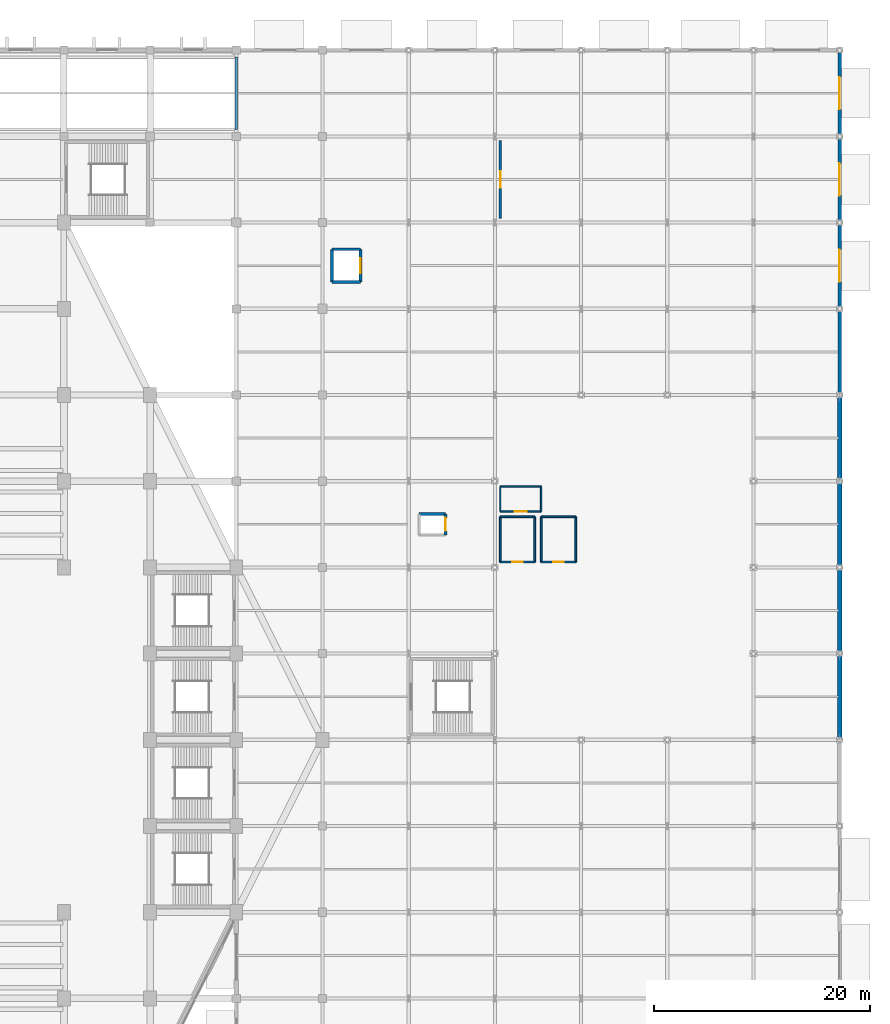
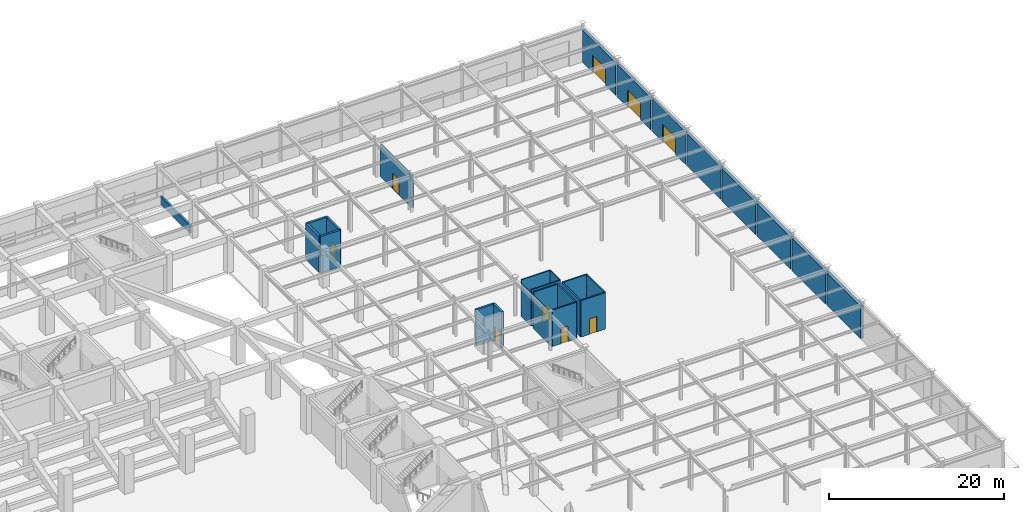
# One storey, part 30 of 39: 28 walls, 9 doors, 9 openings.
"""IFC4 building model written with IfcOpenShell, lengths in metres."""

import ifcopenshell
import ifcopenshell.guid

model = None  # the IFC model being written
_history = None  # IfcOwnerHistory: only IFC2X3 demands one
_inside = {}  # id of a spatial element -> (the spatial element, [elements in it])
_under = {}  # id of a project, library or spatial element -> (it, [spatial elements below it])
_declared = {}  # id of a project -> (the project, [libraries it declares])
_typed = {}  # id of a type object -> (the type object, [elements of that type])
_made_of = {}  # id of a material, layer set ... -> (it, [elements and type objects made of it])


def new_model(schema):
    """Start an empty IFC model of exactly this schema.

    Asked for "IFC4X3", IfcOpenShell would pick the latest addendum, in which some entities
    have other attributes; the version numbers below select the first issue.
    IFC2X3 requires an IfcOwnerHistory on every rooted entity: one is made here for all.
    """
    global model, _history
    if schema == "IFC4X3":
        model = ifcopenshell.file(schema_version=(4, 3, 0, 0))
    else:
        model = ifcopenshell.file(schema=schema)
    _inside.clear()
    _under.clear()
    _declared.clear()
    _typed.clear()
    _made_of.clear()
    _history = None
    if model.schema == "IFC2X3":
        org = make("IfcOrganization", Name="unknown")
        user = make(
            "IfcPersonAndOrganization",
            ThePerson=make("IfcPerson", FamilyName="unknown"),
            TheOrganization=org,
        )
        app = make(
            "IfcApplication",
            ApplicationDeveloper=org,
            Version="unknown",
            ApplicationFullName="unknown",
            ApplicationIdentifier="unknown",
        )
        _history = make(
            "IfcOwnerHistory",
            OwningUser=user,
            OwningApplication=app,
            ChangeAction="ADDED",
            CreationDate=0,
        )
    return model


def make(cls, **values):
    """One entity of the class cls with the attributes given. An attribute that is None is left unset."""
    return model.create_entity(
        cls, **{name: value for name, value in values.items() if value is not None}
    )


def rooted(cls, **values):
    """An entity with a GlobalId (a new one), such as an element, a storey or a relation."""
    return make(cls, GlobalId=ifcopenshell.guid.new(), OwnerHistory=_history, **values)


def si_unit(unit_type, name, prefix=None):
    """IfcSIUnit, for example si_unit("LENGTHUNIT", "METRE", prefix="MILLI")."""
    return make("IfcSIUnit", UnitType=unit_type, Prefix=prefix, Name=name)


def assignment(units):
    """IfcUnitAssignment: the units of a project."""
    return None if units is None else make("IfcUnitAssignment", Units=units)


def point(xyz):
    """IfcCartesianPoint."""
    return None if xyz is None else make("IfcCartesianPoint", Coordinates=xyz)


def direction(xyz):
    """IfcDirection."""
    return None if xyz is None else make("IfcDirection", DirectionRatios=xyz)


def frame(location, z_axis=None, x_axis=None):
    """IfcAxis2Placement3D, a coordinate frame: its origin and axes. An axis left out is left unset."""
    return make(
        "IfcAxis2Placement3D",
        Location=point(location),
        Axis=direction(z_axis),
        RefDirection=direction(x_axis),
    )


def frame_2d(location, x_axis=None):
    """IfcAxis2Placement2D, a coordinate frame in the plane: its origin and x axis."""
    return make(
        "IfcAxis2Placement2D", Location=point(location), RefDirection=direction(x_axis)
    )


def origin():
    """The frame at (0, 0, 0) with its axes left unset."""
    return frame((0.0, 0.0, 0.0))


def place(relative_to, where):
    """IfcLocalPlacement: puts the frame where relative to a parent placement (None: the world)."""
    return make(
        "IfcLocalPlacement", PlacementRelTo=relative_to, RelativePlacement=where
    )


def context(
    kind, dimensions, precision=None, world=None, true_north=None, identifier=None
):
    """IfcGeometricRepresentationContext, for example the 3D "Model" context."""
    return make(
        "IfcGeometricRepresentationContext",
        ContextIdentifier=identifier,
        ContextType=kind,
        CoordinateSpaceDimension=dimensions,
        Precision=precision,
        WorldCoordinateSystem=world,
        TrueNorth=true_north,
    )


def subcontext(parent, identifier, kind, view, scale=None):
    """IfcGeometricRepresentationSubContext, for example "Body" below "Model"."""
    return make(
        "IfcGeometricRepresentationSubContext",
        ContextIdentifier=identifier,
        ContextType=kind,
        ParentContext=parent,
        TargetScale=scale,
        TargetView=view,
    )


def project(units=None, contexts=None):
    """IfcProject with its units and contexts."""
    return rooted(
        "IfcProject",
        Name="project",
        RepresentationContexts=contexts,
        UnitsInContext=assignment(units),
    )


def spatial(cls, under=None, at=None, **own):
    """A site, building, storey or space (cls), placed at a placement, below another one or the project."""
    s = rooted(cls, ObjectPlacement=at, **own)
    if under is not None:
        _under.setdefault(under.id(), (under, []))[1].append(s)
    return s


def profile(cls, at=None, kind="AREA", **sizes):
    """A parametric profile (cls). Its sizes go by their IFC names, for example OverallWidth=200.0."""
    return make(cls, ProfileType=kind, Position=at, **sizes)


def rectangle(**sizes):
    """IfcRectangleProfileDef."""
    return profile("IfcRectangleProfileDef", **sizes)


def extrude(swept, where, along, depth):
    """IfcExtrudedAreaSolid: the profile swept, set in the frame where, extruded along a direction by depth."""
    return make(
        "IfcExtrudedAreaSolid",
        SweptArea=swept,
        Position=where,
        ExtrudedDirection=direction(along),
        Depth=depth,
    )


def shape(context_of_items, identifier, shape_type, items):
    """IfcShapeRepresentation: the items that make up one representation, for example the "Body"."""
    return make(
        "IfcShapeRepresentation",
        ContextOfItems=context_of_items,
        RepresentationIdentifier=identifier,
        RepresentationType=shape_type,
        Items=items,
    )


def material(Name=None, Category=None):
    """IfcMaterial."""
    return make("IfcMaterial", Name=Name, Category=Category)


def layer(
    of_material, thickness, ventilated=None, Name=None, Category=None, Priority=None
):
    """IfcMaterialLayer: one layer of a wall or slab, of a material (None: an air gap)."""
    return make(
        "IfcMaterialLayer",
        Material=of_material,
        LayerThickness=thickness,
        IsVentilated=ventilated,
        Name=Name,
        Category=Category,
        Priority=Priority,
    )


def layer_set(layers, Name=None):
    """IfcMaterialLayerSet."""
    return make("IfcMaterialLayerSet", MaterialLayers=layers, LayerSetName=Name)


def made_of(thing, what):
    """Note that an element or type object is made of a material, layer set ...; save() writes the relation."""
    if what is not None:
        _made_of.setdefault(what.id(), (what, []))[1].append(thing)
    return thing


def type_object(cls, material=None, **own):
    """A type object (cls), such as IfcWallType, which elements share."""
    return made_of(rooted(cls, **own), material)


def element(
    cls,
    number,
    at=None,
    inside=None,
    cuts=None,
    type_object=None,
    material=None,
    context=None,
    identifier="Body",
    shape_type=None,
    held_by="IfcProductDefinitionShape",
    body=None,
    shapes=None,
    **own,
):
    """One element of the class cls, such as IfcWall. Its Tag is "e" and its number.

    at: its placement. inside: the storey or other place that contains it. cuts: it is an
    opening in that element (IfcRelVoidsElement). A single representation is given by context,
    identifier, shape_type and body (its items); several are given by shapes. held_by: the class
    of the entity that holds the representations. save() writes the other relations.
    """
    e = rooted(cls, Tag="e%d" % number, ObjectPlacement=at, **own)
    if body is not None:
        shapes = [shape(context, identifier, shape_type, body)]
    if shapes is not None:
        e.Representation = make(held_by, Representations=shapes)
    if inside is not None:
        _inside.setdefault(inside.id(), (inside, []))[1].append(e)
    if cuts is not None:
        rooted(
            "IfcRelVoidsElement", RelatingBuildingElement=cuts, RelatedOpeningElement=e
        )
    if type_object is not None:
        _typed.setdefault(type_object.id(), (type_object, []))[1].append(e)
    return made_of(e, material)


def fill(opening, filler):
    """IfcRelFillsElement: the door or window that sits in an opening."""
    return rooted(
        "IfcRelFillsElement",
        RelatingOpeningElement=opening,
        RelatedBuildingElement=filler,
    )


def aggregate(whole, parts):
    """IfcRelAggregates: a whole, such as a stair, and the parts it consists of."""
    return rooted("IfcRelAggregates", RelatingObject=whole, RelatedObjects=parts)


def save(model, path):
    """Write the relations noted so far, then the file.

    IfcRelAggregates (storeys below a building ...), IfcRelContainedInSpatialStructure (elements
    in a storey), IfcRelDefinesByType, IfcRelAssociatesMaterial and IfcRelDeclares: one each for
    every whole, place, type object, material and project.
    """
    for whole, parts in _under.values():
        aggregate(whole, parts)
    for where, things in _inside.values():
        rooted(
            "IfcRelContainedInSpatialStructure",
            RelatedElements=things,
            RelatingStructure=where,
        )
    for kind, things in _typed.values():
        rooted("IfcRelDefinesByType", RelatedObjects=things, RelatingType=kind)
    for what, things in _made_of.values():
        rooted("IfcRelAssociatesMaterial", RelatedObjects=things, RelatingMaterial=what)
    for by, libraries in _declared.values():
        rooted("IfcRelDeclares", RelatingContext=by, RelatedDefinitions=libraries)
    model.write(path)


model = new_model("IFC4")

# Units and contexts
model_context = context("Model", 3, precision=1e-05, world=origin(), true_north=direction((0.0, 1.0)))
body_context = subcontext(model_context, "Body", "Model", "MODEL_VIEW")
ifc_project = project(units=[si_unit("LENGTHUNIT", "METRE"), si_unit("AREAUNIT", "SQUARE_METRE"), si_unit("VOLUMEUNIT", "CUBIC_METRE"), si_unit("PLANEANGLEUNIT", "RADIAN"), si_unit("MASSUNIT", "GRAM", prefix="KILO")], contexts=[model_context])

# Site, building, storey
site_placement = place(None, origin())
site = spatial("IfcSite", under=ifc_project, at=site_placement, CompositionType="ELEMENT")
building_placement = place(site_placement, origin())
building = spatial("IfcBuilding", under=site, at=building_placement, Name="Tazarka Park Arena", CompositionType="ELEMENT")
storey_placement = place(building_placement, origin())
storey = spatial("IfcBuildingStorey", under=building, at=storey_placement, Name="L00", CompositionType="ELEMENT", Elevation=0.0)

# Wall
ifc_material_1 = material(Name="Concrete C40/50", Category="concrete")
ifc_layer_1 = layer(ifc_material_1, 0.260009765625, Name="Concrete C40/50")
ifc_layer_set_1 = layer_set([ifc_layer_1], Name="Concrete C40/50")
wall_type_1 = type_object("IfcWallType", Name="IWAL-CW-S3", PredefinedType="SHEAR", material=ifc_layer_set_1)
wall_1_placement = place(storey_placement, frame((144.97998046875, 84.969970703125, 0.0), z_axis=(0.0, 0.0, 1.0), x_axis=(1.0, 0.0, 0.0)))
element("IfcWall", 1, at=wall_1_placement, inside=storey, type_object=wall_type_1, Name="LSW-L00-LF-10-N", PredefinedType="SHEAR", context=body_context, shape_type="SweptSolid", body=[
    extrude(rectangle(XDim=2.43994140625, YDim=0.260009765625, at=frame_2d((1.219970703125, 0.0))), origin(), (0.0, 0.0, 1.0), 5.080078125),
])

# Wall, opening, door
wall_2_placement = place(storey_placement, frame((147.419921875, 84.969970703125, 0.0), z_axis=(0.0, 0.0, 1.0), x_axis=(0.0, -1.0, 0.0)))
wall_2 = element("IfcWall", 2, at=wall_2_placement, inside=storey, type_object=wall_type_1, Name="LSW-L00-LF-10-E", PredefinedType="SHEAR", context=body_context, shape_type="SweptSolid", body=[
    extrude(rectangle(XDim=1.93994140625, YDim=0.260009765625, at=frame_2d((0.969970703125, 0.0))), origin(), (0.0, 0.0, 1.0), 5.080078125),
])
opening_1_placement = place(wall_2_placement, frame((0.3701171875, 0.0, 0.0)))
opening_1 = element("IfcOpeningElement", 3, at=opening_1_placement, cuts=wall_2, Name="Opening LD-02", PredefinedType="OPENING", context=body_context, shape_type="SweptSolid", body=[
    extrude(rectangle(XDim=1.199951171875, YDim=2.14990234375, at=frame_2d((0.60009765625, 1.074951171875))), frame((0.0, 0.14013671875, 0.0), z_axis=(0.0, -1.0, 0.0), x_axis=(1.0, 0.0, 0.0)), (0.0, 0.0, 1.0), 0.280029296875),
])
ifc_material_2 = material(Name="Fire-rated powder-coated steel and acoustic timber", Category="steel")
door_type_1 = type_object("IfcDoorType", Name="IDR-LD-02", OperationType="NOTDEFINED", PredefinedType="DOOR", material=ifc_material_2)
door_1_placement = place(opening_1_placement, origin())
door_1 = element("IfcDoor", 4, at=door_1_placement, inside=storey, type_object=door_type_1, Name="Lift Landing Door LF-10-L00", OperationType="SLIDING_TO_LEFT", OverallHeight=2.14990234375, OverallWidth=1.199951171875, PredefinedType="DOOR", context=body_context, shape_type="SweptSolid", body=[
    extrude(rectangle(XDim=1.199951171875, YDim=2.14990234375, at=frame_2d((0.60009765625, 1.074951171875))), frame((0.0, 0.02490234375, 0.0), z_axis=(0.0, -1.0, 0.0), x_axis=(1.0, 0.0, 0.0)), (0.0, 0.0, 1.0), 0.050048828125),
])
fill(opening_1, door_1)

# Walls
wall_3_placement = place(storey_placement, frame((136.8798828125, 106.47998046875, 0.0), z_axis=(0.0, 0.0, 1.0), x_axis=(0.0, 1.0, 0.0)))
element("IfcWall", 5, at=wall_3_placement, inside=storey, type_object=wall_type_1, Name="LSW-L00-LF-12-W", PredefinedType="SHEAR", context=body_context, shape_type="SweptSolid", body=[
    extrude(rectangle(XDim=3.0400390625, YDim=0.260009765625, at=frame_2d((1.52001953125, 0.0))), origin(), (0.0, 0.0, 1.0), 5.080078125),
])
for number, where, z_axis, x_axis, name in (
    (6, (136.8798828125, 109.52001953125, 0.0), (0.0, 0.0, 1.0), (1.0, 0.0, 0.0), "LSW-L00-LF-12-N"),
    (7, (139.52001953125, 106.47998046875, 0.0), (0.0, 0.0, 1.0), (-1.0, 0.0, 0.0), "LSW-L00-LF-12-S"),
):
    element("IfcWall", number, at=place(storey_placement, frame(where, z_axis=z_axis, x_axis=x_axis)), inside=storey, type_object=wall_type_1, Name=name, PredefinedType="SHEAR", context=body_context, shape_type="SweptSolid", body=[
        extrude(rectangle(XDim=2.64013671875, YDim=0.260009765625, at=frame_2d((1.320068359375, 0.0))), origin(), (0.0, 0.0, 1.0), 5.080078125),
    ])

# Wall, opening, door
wall_4_placement = place(storey_placement, frame((139.52001953125, 109.52001953125, 0.0), z_axis=(0.0, 0.0, 1.0), x_axis=(0.0, -1.0, 0.0)))
wall_4 = element("IfcWall", 8, at=wall_4_placement, inside=storey, type_object=wall_type_1, Name="LSW-L00-LF-12-E", PredefinedType="SHEAR", context=body_context, shape_type="SweptSolid", body=[
    extrude(rectangle(XDim=3.0400390625, YDim=0.260009765625, at=frame_2d((1.52001953125, 0.0))), origin(), (0.0, 0.0, 1.0), 5.080078125),
])
opening_2_placement = place(wall_4_placement, frame((0.820068359375, 0.0, 0.0)))
opening_2 = element("IfcOpeningElement", 9, at=opening_2_placement, cuts=wall_4, Name="Opening LD-03", PredefinedType="OPENING", context=body_context, shape_type="SweptSolid", body=[
    extrude(rectangle(XDim=1.39990234375, YDim=2.199951171875, at=frame_2d((0.699951171875, 1.10009765625))), frame((0.0, 0.14013671875, 0.0), z_axis=(0.0, -1.0, 0.0), x_axis=(1.0, 0.0, 0.0)), (0.0, 0.0, 1.0), 0.280029296875),
])
ifc_material_3 = material(Name="Fire-rated powder-coated steel and acoustic timber", Category="steel")
door_type_2 = type_object("IfcDoorType", Name="IDR-LD-03", OperationType="NOTDEFINED", PredefinedType="DOOR", material=ifc_material_3)
door_2_placement = place(opening_2_placement, origin())
door_2 = element("IfcDoor", 10, at=door_2_placement, inside=storey, type_object=door_type_2, Name="Lift Landing Door LF-12-L00", OperationType="SLIDING_TO_LEFT", OverallHeight=2.199951171875, OverallWidth=1.39990234375, PredefinedType="DOOR", context=body_context, shape_type="SweptSolid", body=[
    extrude(rectangle(XDim=1.39990234375, YDim=2.199951171875, at=frame_2d((0.699951171875, 1.10009765625))), frame((0.0, 0.02490234375, 0.0), z_axis=(0.0, -1.0, 0.0), x_axis=(1.0, 0.0, 0.0)), (0.0, 0.0, 1.0), 0.050048828125),
])
fill(opening_2, door_2)

ifc_material_4 = material(Name="Reinforced masonry compartment wall", Category="masonry")
ifc_layer_2 = layer(ifc_material_4, 0.199951171875, Name="Reinforced masonry compartment wall")
ifc_layer_set_2 = layer_set([ifc_layer_2], Name="Reinforced masonry compartment wall")
wall_type_2 = type_object("IfcWallType", Name="IWAL-PT-04", PredefinedType="PARTITIONING", material=ifc_layer_set_2)
wall_5_placement = place(storey_placement, frame((152.5, 112.365478515625, 0.0), z_axis=(0.0, 0.0, 1.0), x_axis=(0.0, 1.0, 0.0)))
wall_5 = element("IfcWall", 11, at=wall_5_placement, inside=storey, type_object=wall_type_2, Name="PRT-L00-012", PredefinedType="PARTITIONING", context=body_context, shape_type="SweptSolid", body=[
    extrude(rectangle(XDim=7.26904296875, YDim=0.199951171875, at=frame_2d((3.634521484375, 0.0))), origin(), (0.0, 0.0, 1.0), 4.5),
])
opening_3_placement = place(wall_5_placement, frame((2.884521484375, 0.0, 0.0)))
opening_3 = element("IfcOpeningElement", 12, at=opening_3_placement, cuts=wall_5, Name="Opening ID-06", PredefinedType="OPENING", context=body_context, shape_type="SweptSolid", body=[
    extrude(rectangle(XDim=1.5, YDim=2.199951171875, at=frame_2d((0.75, 1.10009765625))), frame((0.0, 0.10986328125, 0.0), z_axis=(0.0, -1.0, 0.0), x_axis=(1.0, 0.0, 0.0)), (0.0, 0.0, 1.0), 0.219970703125),
])
ifc_material_5 = material(Name="Fire-rated powder-coated steel and acoustic timber", Category="steel")
door_type_3 = type_object("IfcDoorType", Name="IDR-ID-06", OperationType="NOTDEFINED", PredefinedType="DOOR", material=ifc_material_5)
door_3_placement = place(opening_3_placement, origin())
door_3 = element("IfcDoor", 13, at=door_3_placement, inside=storey, type_object=door_type_3, Name="Room Door HGV Loading Dock and Broadcast Compound Marshalling", OperationType="DOUBLE_DOOR_SINGLE_SWING", OverallHeight=2.199951171875, OverallWidth=1.5, PredefinedType="DOOR", context=body_context, shape_type="SweptSolid", body=[
    extrude(rectangle(XDim=1.5, YDim=2.199951171875, at=frame_2d((0.75, 1.10009765625))), frame((0.0, 0.02490234375, 0.0), z_axis=(0.0, -1.0, 0.0), x_axis=(1.0, 0.0, 0.0)), (0.0, 0.0, 1.0), 0.050048828125),
])
fill(opening_3, door_3)

ifc_material_6 = material(Name="Acoustic gypsum stud partition")
ifc_layer_3 = layer(ifc_material_6, 0.135009765625, Name="Acoustic gypsum stud partition")
ifc_layer_set_3 = layer_set([ifc_layer_3], Name="Acoustic gypsum stud partition")
wall_type_3 = type_object("IfcWallType", Name="IWAL-PT-10", PredefinedType="PARTITIONING", material=ifc_layer_set_3)
wall_6_placement = place(storey_placement, frame((152.5, 85.199951171875, 0.0), z_axis=(0.0, 0.0, 1.0), x_axis=(1.0, 0.0, 0.0)))
wall_6 = element("IfcWall", 14, at=wall_6_placement, inside=storey, type_object=wall_type_3, Name="WCE-L00-053", PredefinedType="PARTITIONING", context=body_context, shape_type="SweptSolid", body=[
    extrude(rectangle(XDim=3.800048828125, YDim=0.135009765625, at=frame_2d((1.89990234375, 0.0))), origin(), (0.0, 0.0, 1.0), 5.080078125),
])
opening_4_placement = place(wall_6_placement, frame((1.35009765625, 0.0, 0.0)))
opening_4 = element("IfcOpeningElement", 15, at=opening_4_placement, cuts=wall_6, Name="Opening ID-02", PredefinedType="OPENING", context=body_context, shape_type="SweptSolid", body=[
    extrude(rectangle(XDim=1.10009765625, YDim=2.14990234375, at=frame_2d((0.550048828125, 1.074951171875))), frame((0.0, 0.07763671875, 0.0), z_axis=(0.0, -1.0, 0.0), x_axis=(1.0, 0.0, 0.0)), (0.0, 0.0, 1.0), 0.155029296875),
])
ifc_material_7 = material(Name="Fire-rated powder-coated steel and acoustic timber", Category="steel")
door_type_4 = type_object("IfcDoorType", Name="IDR-ID-02", OperationType="NOTDEFINED", PredefinedType="DOOR", material=ifc_material_7)
door_4_placement = place(opening_4_placement, origin())
door_4 = element("IfcDoor", 16, at=door_4_placement, inside=storey, type_object=door_type_4, Name="Room Door Accessible WC Warmup 4", OperationType="SINGLE_SWING_RIGHT", OverallHeight=2.14990234375, OverallWidth=1.10009765625, PredefinedType="DOOR", context=body_context, shape_type="SweptSolid", body=[
    extrude(rectangle(XDim=1.10009765625, YDim=2.14990234375, at=frame_2d((0.550048828125, 1.074951171875))), frame((0.0, 0.02490234375, 0.0), z_axis=(0.0, -1.0, 0.0), x_axis=(1.0, 0.0, 0.0)), (0.0, 0.0, 1.0), 0.050048828125),
])
fill(opening_4, door_4)

# Walls
wall_7_placement = place(storey_placement, frame((156.300048828125, 85.199951171875, 0.0), z_axis=(0.0, 0.0, 1.0), x_axis=(0.0, 1.0, 0.0)))
element("IfcWall", 17, at=wall_7_placement, inside=storey, type_object=wall_type_3, Name="WCE-L00-054", PredefinedType="PARTITIONING", context=body_context, shape_type="SweptSolid", body=[
    extrude(rectangle(XDim=2.300048828125, YDim=0.135009765625, at=frame_2d((1.14990234375, 0.0))), origin(), (0.0, 0.0, 1.0), 5.080078125),
])
wall_8_placement = place(storey_placement, frame((156.300048828125, 87.5, 0.0), z_axis=(0.0, 0.0, 1.0), x_axis=(-1.0, 0.0, 0.0)))
element("IfcWall", 18, at=wall_8_placement, inside=storey, type_object=wall_type_3, Name="WCE-L00-055", PredefinedType="PARTITIONING", context=body_context, shape_type="SweptSolid", body=[
    extrude(rectangle(XDim=3.800048828125, YDim=0.135009765625, at=frame_2d((1.89990234375, 0.0))), origin(), (0.0, 0.0, 1.0), 5.080078125),
])
wall_9_placement = place(storey_placement, frame((152.5, 87.5, 0.0), z_axis=(0.0, 0.0, 1.0), x_axis=(0.0, -1.0, 0.0)))
element("IfcWall", 19, at=wall_9_placement, inside=storey, type_object=wall_type_3, Name="WCE-L00-056", PredefinedType="PARTITIONING", context=body_context, shape_type="SweptSolid", body=[
    extrude(rectangle(XDim=2.300048828125, YDim=0.135009765625, at=frame_2d((1.14990234375, 0.0))), origin(), (0.0, 0.0, 1.0), 4.510009765625),
])

# Wall, opening, door
ifc_material_8 = material(Name="Wet-zone tiled blockwork wall", Category="masonry")
ifc_layer_4 = layer(ifc_material_8, 0.175048828125, Name="Wet-zone tiled blockwork wall")
ifc_layer_set_4 = layer_set([ifc_layer_4], Name="Wet-zone tiled blockwork wall")
wall_type_4 = type_object("IfcWallType", Name="IWAL-PT-18", PredefinedType="PARTITIONING", material=ifc_layer_set_4)
wall_10_placement = place(storey_placement, frame((152.5, 80.5, 0.0), z_axis=(0.0, 0.0, 1.0), x_axis=(1.0, 0.0, 0.0)))
wall_10 = element("IfcWall", 20, at=wall_10_placement, inside=storey, type_object=wall_type_4, Name="WCE-L00-045", PredefinedType="PARTITIONING", context=body_context, shape_type="SweptSolid", body=[
    extrude(rectangle(XDim=3.199951171875, YDim=0.175048828125, at=frame_2d((1.60009765625, 0.0))), origin(), (0.0, 0.0, 1.0), 5.080078125),
])
opening_5_placement = place(wall_10_placement, frame((1.125, 0.0, 0.0)))
opening_5 = element("IfcOpeningElement", 21, at=opening_5_placement, cuts=wall_10, Name="Opening ID-09", PredefinedType="OPENING", context=body_context, shape_type="SweptSolid", body=[
    extrude(rectangle(XDim=0.949951171875, YDim=2.14990234375, at=frame_2d((0.47509765625, 1.074951171875))), frame((0.0, 0.09765625, 0.0), z_axis=(0.0, -1.0, 0.0), x_axis=(1.0, 0.0, 0.0)), (0.0, 0.0, 1.0), 0.195068359375),
])
ifc_material_9 = material(Name="Fire-rated powder-coated steel and acoustic timber", Category="steel")
door_type_5 = type_object("IfcDoorType", Name="IDR-ID-09", OperationType="NOTDEFINED", PredefinedType="DOOR", material=ifc_material_9)
door_5_placement = place(opening_5_placement, origin())
door_5 = element("IfcDoor", 22, at=door_5_placement, inside=storey, type_object=door_type_5, Name="Room Door Public Male WC Warmup 4", OperationType="SINGLE_SWING_RIGHT", OverallHeight=2.14990234375, OverallWidth=0.949951171875, PredefinedType="DOOR", context=body_context, shape_type="SweptSolid", body=[
    extrude(rectangle(XDim=0.949951171875, YDim=2.14990234375, at=frame_2d((0.47509765625, 1.074951171875))), frame((0.0, 0.02490234375, 0.0), z_axis=(0.0, -1.0, 0.0), x_axis=(1.0, 0.0, 0.0)), (0.0, 0.0, 1.0), 0.050048828125),
])
fill(opening_5, door_5)

# Walls
wall_11_placement = place(storey_placement, frame((155.699951171875, 80.5, 0.0), z_axis=(0.0, 0.0, 1.0), x_axis=(0.0, 1.0, 0.0)))
element("IfcWall", 23, at=wall_11_placement, inside=storey, type_object=wall_type_4, Name="WCE-L00-046", PredefinedType="PARTITIONING", context=body_context, shape_type="SweptSolid", body=[
    extrude(rectangle(XDim=4.199951171875, YDim=0.175048828125, at=frame_2d((2.10009765625, 0.0))), origin(), (0.0, 0.0, 1.0), 5.080078125),
])
wall_12_placement = place(storey_placement, frame((155.699951171875, 84.699951171875, 0.0), z_axis=(0.0, 0.0, 1.0), x_axis=(-1.0, 0.0, 0.0)))
element("IfcWall", 24, at=wall_12_placement, inside=storey, type_object=wall_type_4, Name="WCE-L00-047", PredefinedType="PARTITIONING", context=body_context, shape_type="SweptSolid", body=[
    extrude(rectangle(XDim=3.199951171875, YDim=0.175048828125, at=frame_2d((1.60009765625, 0.0))), origin(), (0.0, 0.0, 1.0), 5.080078125),
])
wall_13_placement = place(storey_placement, frame((152.5, 84.699951171875, 0.0), z_axis=(0.0, 0.0, 1.0), x_axis=(0.0, -1.0, 0.0)))
element("IfcWall", 25, at=wall_13_placement, inside=storey, type_object=wall_type_4, Name="WCE-L00-048", PredefinedType="PARTITIONING", context=body_context, shape_type="SweptSolid", body=[
    extrude(rectangle(XDim=4.199951171875, YDim=0.175048828125, at=frame_2d((2.10009765625, 0.0))), origin(), (0.0, 0.0, 1.0), 4.510009765625),
])

# Wall, opening, door
wall_14_placement = place(storey_placement, frame((156.300048828125, 80.5, 0.0), z_axis=(0.0, 0.0, 1.0), x_axis=(1.0, 0.0, 0.0)))
wall_14 = element("IfcWall", 26, at=wall_14_placement, inside=storey, type_object=wall_type_4, Name="WCE-L00-049", PredefinedType="PARTITIONING", context=body_context, shape_type="SweptSolid", body=[
    extrude(rectangle(XDim=3.199951171875, YDim=0.175048828125, at=frame_2d((1.60009765625, 0.0))), origin(), (0.0, 0.0, 1.0), 5.080078125),
])
opening_6_placement = place(wall_14_placement, frame((1.125, 0.0, 0.0)))
opening_6 = element("IfcOpeningElement", 27, at=opening_6_placement, cuts=wall_14, Name="Opening ID-09", PredefinedType="OPENING", context=body_context, shape_type="SweptSolid", body=[
    extrude(rectangle(XDim=0.949951171875, YDim=2.14990234375, at=frame_2d((0.47509765625, 1.074951171875))), frame((0.0, 0.09765625, 0.0), z_axis=(0.0, -1.0, 0.0), x_axis=(1.0, 0.0, 0.0)), (0.0, 0.0, 1.0), 0.195068359375),
])
door_6_placement = place(opening_6_placement, origin())
door_6 = element("IfcDoor", 28, at=door_6_placement, inside=storey, type_object=door_type_5, Name="Room Door Public Female WC Warmup 4", OperationType="SINGLE_SWING_LEFT", OverallHeight=2.14990234375, OverallWidth=0.949951171875, PredefinedType="DOOR", context=body_context, shape_type="SweptSolid", body=[
    extrude(rectangle(XDim=0.949951171875, YDim=2.14990234375, at=frame_2d((0.47509765625, 1.074951171875))), frame((0.0, 0.02490234375, 0.0), z_axis=(0.0, -1.0, 0.0), x_axis=(1.0, 0.0, 0.0)), (0.0, 0.0, 1.0), 0.050048828125),
])
fill(opening_6, door_6)

# Walls
wall_15_placement = place(storey_placement, frame((159.5, 80.5, 0.0), z_axis=(0.0, 0.0, 1.0), x_axis=(0.0, 1.0, 0.0)))
element("IfcWall", 29, at=wall_15_placement, inside=storey, type_object=wall_type_4, Name="WCE-L00-050", PredefinedType="PARTITIONING", context=body_context, shape_type="SweptSolid", body=[
    extrude(rectangle(XDim=4.199951171875, YDim=0.175048828125, at=frame_2d((2.10009765625, 0.0))), origin(), (0.0, 0.0, 1.0), 5.080078125),
])
wall_16_placement = place(storey_placement, frame((159.5, 84.699951171875, 0.0), z_axis=(0.0, 0.0, 1.0), x_axis=(-1.0, 0.0, 0.0)))
element("IfcWall", 30, at=wall_16_placement, inside=storey, type_object=wall_type_4, Name="WCE-L00-051", PredefinedType="PARTITIONING", context=body_context, shape_type="SweptSolid", body=[
    extrude(rectangle(XDim=3.199951171875, YDim=0.175048828125, at=frame_2d((1.60009765625, 0.0))), origin(), (0.0, 0.0, 1.0), 5.080078125),
])
wall_17_placement = place(storey_placement, frame((156.300048828125, 84.699951171875, 0.0), z_axis=(0.0, 0.0, 1.0), x_axis=(0.0, -1.0, 0.0)))
element("IfcWall", 31, at=wall_17_placement, inside=storey, type_object=wall_type_4, Name="WCE-L00-052", PredefinedType="PARTITIONING", context=body_context, shape_type="SweptSolid", body=[
    extrude(rectangle(XDim=4.199951171875, YDim=0.175048828125, at=frame_2d((2.10009765625, 0.0))), origin(), (0.0, 0.0, 1.0), 5.080078125),
])
ifc_material_10 = material(Name="Precast concrete C40/50", Category="concrete")
ifc_layer_5 = layer(ifc_material_10, 0.300048828125, Name="Precast concrete C40/50")
ifc_layer_set_5 = layer_set([ifc_layer_5], Name="Precast concrete C40/50")
wall_type_5 = type_object("IfcWallType", Name="WAL-EW-01", PredefinedType="SOLIDWALL", material=ifc_layer_set_5)
wall_18_placement = place(storey_placement, frame((184.0, 103.81689453125, 0.0), z_axis=(0.0, 0.0, 1.0), x_axis=(0.0, -1.0, 0.0)))
element("IfcWall", 32, at=wall_18_placement, inside=storey, type_object=wall_type_5, Name="EW-L00-0096", PredefinedType="SOLIDWALL", context=body_context, shape_type="SweptSolid", body=[
    extrude(rectangle(XDim=7.6337890625, YDim=0.300048828125, at=frame_2d((3.81689453125, 0.0))), origin(), (0.0, 0.0, 1.0), 4.510009765625),
])

# Wall, opening, door
ifc_material_11 = material(Name="Precast concrete C40/50", Category="concrete")
ifc_layer_6 = layer(ifc_material_11, 0.320068359375, Name="Precast concrete C40/50")
ifc_layer_set_6 = layer_set([ifc_layer_6], Name="Precast concrete C40/50")
wall_type_6 = type_object("IfcWallType", Name="WAL-EW-02", PredefinedType="SOLIDWALL", material=ifc_layer_set_6)
wall_19_placement = place(storey_placement, frame((184.0, 111.81689453125, 0.0), z_axis=(0.0, 0.0, 1.0), x_axis=(0.0, -1.0, 0.0)))
wall_19 = element("IfcWall", 33, at=wall_19_placement, inside=storey, type_object=wall_type_6, Name="EW-L00-0097", PredefinedType="SOLIDWALL", context=body_context, shape_type="SweptSolid", body=[
    extrude(rectangle(XDim=7.6337890625, YDim=0.320068359375, at=frame_2d((3.81689453125, 0.0))), origin(), (0.0, 0.0, 1.0), 4.510009765625),
])
opening_7_placement = place(wall_19_placement, frame((2.31689453125, 0.0, 0.0)))
opening_7 = element("IfcOpeningElement", 34, at=opening_7_placement, cuts=wall_19, Name="Opening G01", PredefinedType="OPENING", context=body_context, shape_type="SweptSolid", body=[
    extrude(rectangle(XDim=3.0, YDim=2.39990234375, at=frame_2d((1.5, 1.199951171875))), frame((0.0, 0.169921875, 0.0), z_axis=(0.0, -1.0, 0.0), x_axis=(1.0, 0.0, 0.0)), (0.0, 0.0, 1.0), 0.340087890625),
])
ifc_material_12 = material(Name="Thermally broken anodised aluminium and laminated safety glass", Category="aluminium")
door_type_6 = type_object("IfcDoorType", Name="DR-ED-02", OperationType="NOTDEFINED", PredefinedType="DOOR", material=ifc_material_12)
door_7_placement = place(opening_7_placement, origin())
door_7 = element("IfcDoor", 35, at=door_7_placement, inside=storey, type_object=door_type_6, Name="Pedestrian exit gate G01", OperationType="DOUBLE_DOOR_SINGLE_SWING", OverallHeight=2.39990234375, OverallWidth=3.0, PredefinedType="DOOR", context=body_context, shape_type="SweptSolid", body=[
    extrude(rectangle(XDim=3.0, YDim=2.39990234375, at=frame_2d((1.5, 1.199951171875))), frame((0.0, 0.02490234375, 0.0), z_axis=(0.0, -1.0, 0.0), x_axis=(1.0, 0.0, 0.0)), (0.0, 0.0, 1.0), 0.050048828125),
])
fill(opening_7, door_7)

ifc_material_13 = material(Name="Concrete C40/50", Category="concrete")
ifc_layer_7 = layer(ifc_material_13, 0.340087890625, Name="Concrete C40/50")
ifc_layer_set_7 = layer_set([ifc_layer_7], Name="Concrete C40/50")
wall_type_7 = type_object("IfcWallType", Name="WAL-EW-03", PredefinedType="SOLIDWALL", material=ifc_layer_set_7)
wall_20_placement = place(storey_placement, frame((184.0, 119.81689453125, 0.0), z_axis=(0.0, 0.0, 1.0), x_axis=(0.0, -1.0, 0.0)))
wall_20 = element("IfcWall", 36, at=wall_20_placement, inside=storey, type_object=wall_type_7, Name="EW-L00-0098", PredefinedType="SOLIDWALL", context=body_context, shape_type="SweptSolid", body=[
    extrude(rectangle(XDim=7.6337890625, YDim=0.340087890625, at=frame_2d((3.81689453125, 0.0))), origin(), (0.0, 0.0, 1.0), 4.510009765625),
])
opening_8_placement = place(wall_20_placement, frame((2.31689453125, 0.0, 0.0)))
opening_8 = element("IfcOpeningElement", 37, at=opening_8_placement, cuts=wall_20, Name="Opening G02", PredefinedType="OPENING", context=body_context, shape_type="SweptSolid", body=[
    extrude(rectangle(XDim=3.0, YDim=2.39990234375, at=frame_2d((1.5, 1.199951171875))), frame((0.0, 0.18017578125, 0.0), z_axis=(0.0, -1.0, 0.0), x_axis=(1.0, 0.0, 0.0)), (0.0, 0.0, 1.0), 0.360107421875),
])
door_8_placement = place(opening_8_placement, origin())
door_8 = element("IfcDoor", 38, at=door_8_placement, inside=storey, type_object=door_type_6, Name="Pedestrian exit gate G02", OperationType="DOUBLE_DOOR_SINGLE_SWING", OverallHeight=2.39990234375, OverallWidth=3.0, PredefinedType="DOOR", context=body_context, shape_type="SweptSolid", body=[
    extrude(rectangle(XDim=3.0, YDim=2.39990234375, at=frame_2d((1.5, 1.199951171875))), frame((0.0, 0.02490234375, 0.0), z_axis=(0.0, -1.0, 0.0), x_axis=(1.0, 0.0, 0.0)), (0.0, 0.0, 1.0), 0.050048828125),
])
fill(opening_8, door_8)

ifc_material_14 = material(Name="Concrete C40/50", Category="concrete")
ifc_layer_8 = layer(ifc_material_14, 0.360107421875, Name="Concrete C40/50")
ifc_layer_set_8 = layer_set([ifc_layer_8], Name="Concrete C40/50")
wall_type_8 = type_object("IfcWallType", Name="WAL-EW-04", PredefinedType="SOLIDWALL", material=ifc_layer_set_8)
wall_21_placement = place(storey_placement, frame((184.0, 127.81689453125, 0.0), z_axis=(0.0, 0.0, 1.0), x_axis=(0.0, -1.0, 0.0)))
wall_21 = element("IfcWall", 39, at=wall_21_placement, inside=storey, type_object=wall_type_8, Name="EW-L00-0099", PredefinedType="SOLIDWALL", context=body_context, shape_type="SweptSolid", body=[
    extrude(rectangle(XDim=7.6337890625, YDim=0.360107421875, at=frame_2d((3.81689453125, 0.0))), origin(), (0.0, 0.0, 1.0), 4.510009765625),
])
opening_9_placement = place(wall_21_placement, frame((2.31689453125, 0.0, 0.0)))
opening_9 = element("IfcOpeningElement", 40, at=opening_9_placement, cuts=wall_21, Name="Opening G03", PredefinedType="OPENING", context=body_context, shape_type="SweptSolid", body=[
    extrude(rectangle(XDim=3.0, YDim=2.39990234375, at=frame_2d((1.5, 1.199951171875))), frame((0.0, 0.18994140625, 0.0), z_axis=(0.0, -1.0, 0.0), x_axis=(1.0, 0.0, 0.0)), (0.0, 0.0, 1.0), 0.380126953125),
])
door_9_placement = place(opening_9_placement, origin())
door_9 = element("IfcDoor", 41, at=door_9_placement, inside=storey, type_object=door_type_6, Name="Pedestrian exit gate G03", OperationType="DOUBLE_DOOR_SINGLE_SWING", OverallHeight=2.39990234375, OverallWidth=3.0, PredefinedType="DOOR", context=body_context, shape_type="SweptSolid", body=[
    extrude(rectangle(XDim=3.0, YDim=2.39990234375, at=frame_2d((1.5, 1.199951171875))), frame((0.0, 0.02490234375, 0.0), z_axis=(0.0, -1.0, 0.0), x_axis=(1.0, 0.0, 0.0)), (0.0, 0.0, 1.0), 0.050048828125),
])
fill(opening_9, door_9)

# Walls
ifc_material_15 = material(Name="Concrete C50/60", Category="concrete")
ifc_layer_9 = layer(ifc_material_15, 0.389892578125, Name="Concrete C50/60")
ifc_layer_set_9 = layer_set([ifc_layer_9], Name="Concrete C50/60")
wall_type_9 = type_object("IfcWallType", Name="WAL-EW-13", PredefinedType="SOLIDWALL", material=ifc_layer_set_9)
wall_22_placement = place(storey_placement, frame((184.0, 71.81689453125, 0.0), z_axis=(0.0, 0.0, 1.0), x_axis=(0.0, -1.0, 0.0)))
element("IfcWall", 42, at=wall_22_placement, inside=storey, type_object=wall_type_9, Name="EW-L00-0092", PredefinedType="SOLIDWALL", context=body_context, shape_type="SweptSolid", body=[
    extrude(rectangle(XDim=7.6337890625, YDim=0.389892578125, at=frame_2d((3.81689453125, 0.0))), origin(), (0.0, 0.0, 1.0), 4.510009765625),
])
ifc_material_16 = material(Name="Concrete C50/60", Category="concrete")
ifc_layer_10 = layer(ifc_material_16, 0.409912109375, Name="Concrete C50/60")
ifc_layer_set_10 = layer_set([ifc_layer_10], Name="Concrete C50/60")
wall_type_10 = type_object("IfcWallType", Name="WAL-EW-14", PredefinedType="SOLIDWALL", material=ifc_layer_set_10)
wall_23_placement = place(storey_placement, frame((184.0, 79.81689453125, 0.0), z_axis=(0.0, 0.0, 1.0), x_axis=(0.0, -1.0, 0.0)))
element("IfcWall", 43, at=wall_23_placement, inside=storey, type_object=wall_type_10, Name="EW-L00-0093", PredefinedType="SOLIDWALL", context=body_context, shape_type="SweptSolid", body=[
    extrude(rectangle(XDim=7.6337890625, YDim=0.409912109375, at=frame_2d((3.81689453125, 0.0))), origin(), (0.0, 0.0, 1.0), 4.510009765625),
])
ifc_material_17 = material(Name="Concrete C50/60", Category="concrete")
ifc_layer_11 = layer(ifc_material_17, 0.419921875, Name="Concrete C50/60")
ifc_layer_set_11 = layer_set([ifc_layer_11], Name="Concrete C50/60")
wall_type_11 = type_object("IfcWallType", Name="WAL-EW-15", PredefinedType="SOLIDWALL", material=ifc_layer_set_11)
wall_24_placement = place(storey_placement, frame((184.0, 87.81689453125, 0.0), z_axis=(0.0, 0.0, 1.0), x_axis=(0.0, -1.0, 0.0)))
element("IfcWall", 44, at=wall_24_placement, inside=storey, type_object=wall_type_11, Name="EW-L00-0094", PredefinedType="SOLIDWALL", context=body_context, shape_type="SweptSolid", body=[
    extrude(rectangle(XDim=7.6337890625, YDim=0.419921875, at=frame_2d((3.81689453125, 0.0))), origin(), (0.0, 0.0, 1.0), 4.510009765625),
])
ifc_material_18 = material(Name="Concrete C50/60", Category="concrete")
ifc_layer_12 = layer(ifc_material_18, 0.429931640625, Name="Concrete C50/60")
ifc_layer_set_12 = layer_set([ifc_layer_12], Name="Concrete C50/60")
wall_type_12 = type_object("IfcWallType", Name="WAL-EW-16", PredefinedType="SOLIDWALL", material=ifc_layer_set_12)
wall_25_placement = place(storey_placement, frame((184.0, 95.81689453125, 0.0), z_axis=(0.0, 0.0, 1.0), x_axis=(0.0, -1.0, 0.0)))
element("IfcWall", 45, at=wall_25_placement, inside=storey, type_object=wall_type_12, Name="EW-L00-0095", PredefinedType="SOLIDWALL", context=body_context, shape_type="SweptSolid", body=[
    extrude(rectangle(XDim=7.6337890625, YDim=0.429931640625, at=frame_2d((3.81689453125, 0.0))), origin(), (0.0, 0.0, 1.0), 4.510009765625),
])
ifc_material_19 = material(Name="Precast concrete C40/50", Category="concrete")
ifc_layer_13 = layer(ifc_material_19, 0.239990234375, Name="Precast concrete C40/50")
ifc_layer_set_13 = layer_set([ifc_layer_13], Name="Precast concrete C40/50")
wall_type_13 = type_object("IfcWallType", Name="WAL-PW-02", PredefinedType="PARAPET", material=ifc_layer_set_13)
wall_26_placement = place(storey_placement, frame((128.0, 120.64990234375, 0.0), z_axis=(0.0, 0.0, 1.0), x_axis=(0.0, 1.0, 0.0)))
element("IfcWall", 46, at=wall_26_placement, inside=storey, type_object=wall_type_13, Name="VRW-L00-E", PredefinedType="PARAPET", context=body_context, shape_type="SweptSolid", body=[
    extrude(rectangle(XDim=6.7001953125, YDim=0.239990234375, at=frame_2d((3.35009765625, 0.0))), origin(), (0.0, 0.0, 1.0), 1.14990234375),
])

save(model, "model.ifc")
